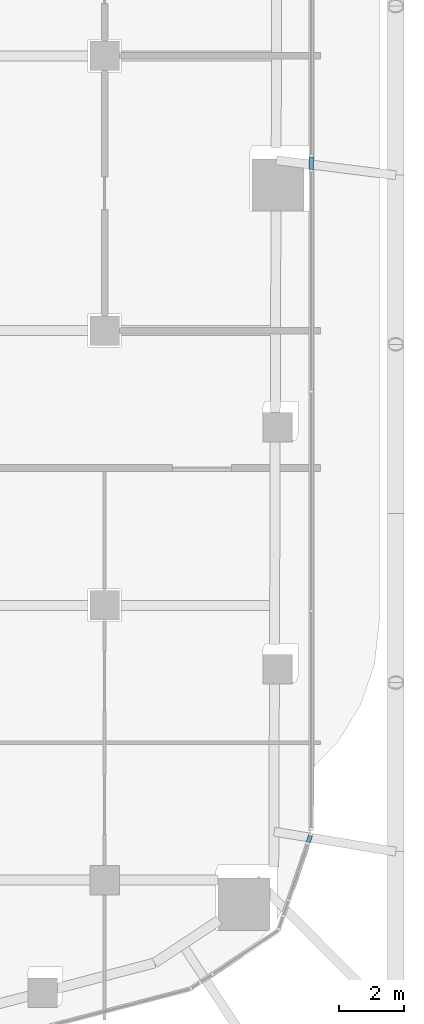
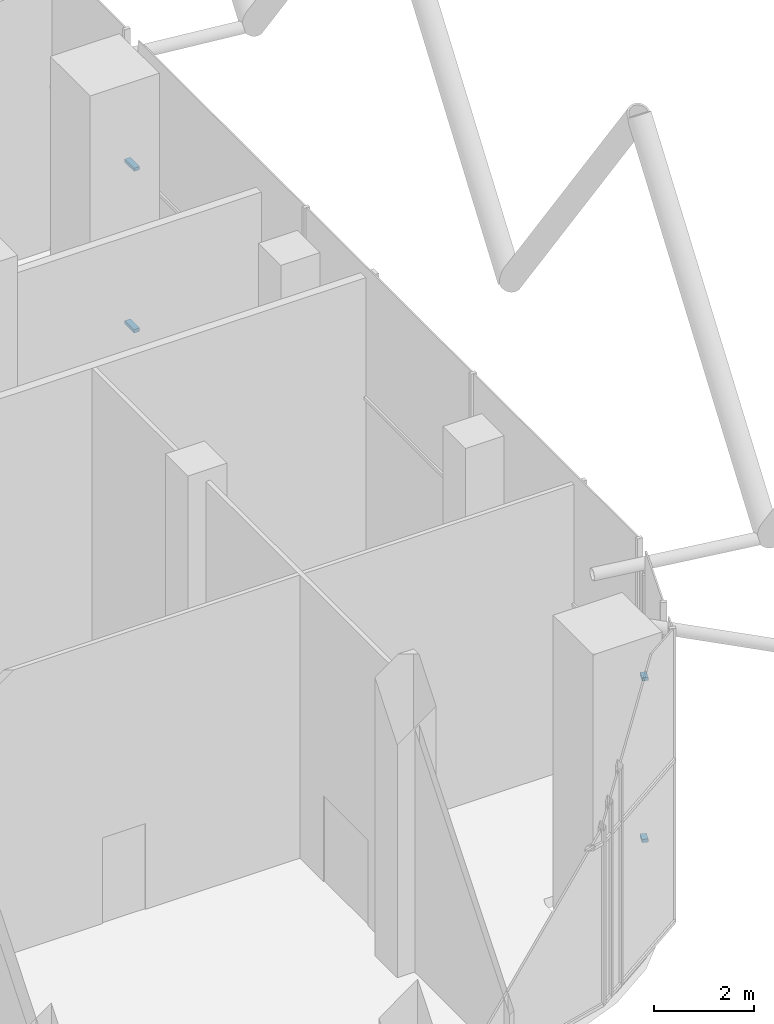
# One storey, part 14 of 34: 4 members, 2 elements without a shape of their own.
"""IFC4 building model written with IfcOpenShell, lengths in metres."""

import ifcopenshell
import ifcopenshell.guid

model = None  # the IFC model being written
_history = None  # IfcOwnerHistory: only IFC2X3 demands one
_inside = {}  # id of a spatial element -> (the spatial element, [elements in it])
_under = {}  # id of a project, library or spatial element -> (it, [spatial elements below it])
_declared = {}  # id of a project -> (the project, [libraries it declares])
_typed = {}  # id of a type object -> (the type object, [elements of that type])
_made_of = {}  # id of a material, layer set ... -> (it, [elements and type objects made of it])


def new_model(schema):
    """Start an empty IFC model of exactly this schema.

    Asked for "IFC4X3", IfcOpenShell would pick the latest addendum, in which some entities
    have other attributes; the version numbers below select the first issue.
    IFC2X3 requires an IfcOwnerHistory on every rooted entity: one is made here for all.
    """
    global model, _history
    if schema == "IFC4X3":
        model = ifcopenshell.file(schema_version=(4, 3, 0, 0))
    else:
        model = ifcopenshell.file(schema=schema)
    _inside.clear()
    _under.clear()
    _declared.clear()
    _typed.clear()
    _made_of.clear()
    _history = None
    if model.schema == "IFC2X3":
        org = make("IfcOrganization", Name="unknown")
        user = make(
            "IfcPersonAndOrganization",
            ThePerson=make("IfcPerson", FamilyName="unknown"),
            TheOrganization=org,
        )
        app = make(
            "IfcApplication",
            ApplicationDeveloper=org,
            Version="unknown",
            ApplicationFullName="unknown",
            ApplicationIdentifier="unknown",
        )
        _history = make(
            "IfcOwnerHistory",
            OwningUser=user,
            OwningApplication=app,
            ChangeAction="ADDED",
            CreationDate=0,
        )
    return model


def make(cls, **values):
    """One entity of the class cls with the attributes given. An attribute that is None is left unset."""
    return model.create_entity(
        cls, **{name: value for name, value in values.items() if value is not None}
    )


def rooted(cls, **values):
    """An entity with a GlobalId (a new one), such as an element, a storey or a relation."""
    return make(cls, GlobalId=ifcopenshell.guid.new(), OwnerHistory=_history, **values)


def si_unit(unit_type, name, prefix=None):
    """IfcSIUnit, for example si_unit("LENGTHUNIT", "METRE", prefix="MILLI")."""
    return make("IfcSIUnit", UnitType=unit_type, Prefix=prefix, Name=name)


def assignment(units):
    """IfcUnitAssignment: the units of a project."""
    return None if units is None else make("IfcUnitAssignment", Units=units)


def point(xyz):
    """IfcCartesianPoint."""
    return None if xyz is None else make("IfcCartesianPoint", Coordinates=xyz)


def direction(xyz):
    """IfcDirection."""
    return None if xyz is None else make("IfcDirection", DirectionRatios=xyz)


def frame(location, z_axis=None, x_axis=None):
    """IfcAxis2Placement3D, a coordinate frame: its origin and axes. An axis left out is left unset."""
    return make(
        "IfcAxis2Placement3D",
        Location=point(location),
        Axis=direction(z_axis),
        RefDirection=direction(x_axis),
    )


def frame_2d(location, x_axis=None):
    """IfcAxis2Placement2D, a coordinate frame in the plane: its origin and x axis."""
    return make(
        "IfcAxis2Placement2D", Location=point(location), RefDirection=direction(x_axis)
    )


def origin():
    """The frame at (0, 0, 0) with its axes left unset."""
    return frame((0.0, 0.0, 0.0))


def origin_2d():
    """The frame at (0, 0) in the plane with its x axis left unset."""
    return frame_2d((0.0, 0.0))


def place(relative_to, where):
    """IfcLocalPlacement: puts the frame where relative to a parent placement (None: the world)."""
    return make(
        "IfcLocalPlacement", PlacementRelTo=relative_to, RelativePlacement=where
    )


def context(
    kind, dimensions, precision=None, world=None, true_north=None, identifier=None
):
    """IfcGeometricRepresentationContext, for example the 3D "Model" context."""
    return make(
        "IfcGeometricRepresentationContext",
        ContextIdentifier=identifier,
        ContextType=kind,
        CoordinateSpaceDimension=dimensions,
        Precision=precision,
        WorldCoordinateSystem=world,
        TrueNorth=true_north,
    )


def subcontext(parent, identifier, kind, view, scale=None):
    """IfcGeometricRepresentationSubContext, for example "Body" below "Model"."""
    return make(
        "IfcGeometricRepresentationSubContext",
        ContextIdentifier=identifier,
        ContextType=kind,
        ParentContext=parent,
        TargetScale=scale,
        TargetView=view,
    )


def project(units=None, contexts=None):
    """IfcProject with its units and contexts."""
    return rooted(
        "IfcProject",
        Name="project",
        RepresentationContexts=contexts,
        UnitsInContext=assignment(units),
    )


def spatial(cls, under=None, at=None, **own):
    """A site, building, storey or space (cls), placed at a placement, below another one or the project."""
    s = rooted(cls, ObjectPlacement=at, **own)
    if under is not None:
        _under.setdefault(under.id(), (under, []))[1].append(s)
    return s


def profile(cls, at=None, kind="AREA", **sizes):
    """A parametric profile (cls). Its sizes go by their IFC names, for example OverallWidth=200.0."""
    return make(cls, ProfileType=kind, Position=at, **sizes)


def rectangle(**sizes):
    """IfcRectangleProfileDef."""
    return profile("IfcRectangleProfileDef", **sizes)


def extrude(swept, where, along, depth):
    """IfcExtrudedAreaSolid: the profile swept, set in the frame where, extruded along a direction by depth."""
    return make(
        "IfcExtrudedAreaSolid",
        SweptArea=swept,
        Position=where,
        ExtrudedDirection=direction(along),
        Depth=depth,
    )


def shape(context_of_items, identifier, shape_type, items):
    """IfcShapeRepresentation: the items that make up one representation, for example the "Body"."""
    return make(
        "IfcShapeRepresentation",
        ContextOfItems=context_of_items,
        RepresentationIdentifier=identifier,
        RepresentationType=shape_type,
        Items=items,
    )


def material(Name=None, Category=None):
    """IfcMaterial."""
    return make("IfcMaterial", Name=Name, Category=Category)


def layer(
    of_material, thickness, ventilated=None, Name=None, Category=None, Priority=None
):
    """IfcMaterialLayer: one layer of a wall or slab, of a material (None: an air gap)."""
    return make(
        "IfcMaterialLayer",
        Material=of_material,
        LayerThickness=thickness,
        IsVentilated=ventilated,
        Name=Name,
        Category=Category,
        Priority=Priority,
    )


def layer_set(layers, Name=None):
    """IfcMaterialLayerSet."""
    return make("IfcMaterialLayerSet", MaterialLayers=layers, LayerSetName=Name)


def material_profile(
    of_material, cross_section, Name=None, Category=None, Priority=None
):
    """IfcMaterialProfile: a cross section and its material."""
    return make(
        "IfcMaterialProfile",
        Name=Name,
        Material=of_material,
        Profile=cross_section,
        Priority=Priority,
        Category=Category,
    )


def profile_set(profiles, Name=None, composite=None):
    """IfcMaterialProfileSet."""
    return make(
        "IfcMaterialProfileSet",
        Name=Name,
        MaterialProfiles=profiles,
        CompositeProfile=composite,
    )


def made_of(thing, what):
    """Note that an element or type object is made of a material, layer set ...; save() writes the relation."""
    if what is not None:
        _made_of.setdefault(what.id(), (what, []))[1].append(thing)
    return thing


def type_object(cls, material=None, **own):
    """A type object (cls), such as IfcWallType, which elements share."""
    return made_of(rooted(cls, **own), material)


def element(
    cls,
    number,
    at=None,
    inside=None,
    cuts=None,
    type_object=None,
    material=None,
    context=None,
    identifier="Body",
    shape_type=None,
    held_by="IfcProductDefinitionShape",
    body=None,
    shapes=None,
    **own,
):
    """One element of the class cls, such as IfcWall. Its Tag is "e" and its number.

    at: its placement. inside: the storey or other place that contains it. cuts: it is an
    opening in that element (IfcRelVoidsElement). A single representation is given by context,
    identifier, shape_type and body (its items); several are given by shapes. held_by: the class
    of the entity that holds the representations. save() writes the other relations.
    """
    e = rooted(cls, Tag="e%d" % number, ObjectPlacement=at, **own)
    if body is not None:
        shapes = [shape(context, identifier, shape_type, body)]
    if shapes is not None:
        e.Representation = make(held_by, Representations=shapes)
    if inside is not None:
        _inside.setdefault(inside.id(), (inside, []))[1].append(e)
    if cuts is not None:
        rooted(
            "IfcRelVoidsElement", RelatingBuildingElement=cuts, RelatedOpeningElement=e
        )
    if type_object is not None:
        _typed.setdefault(type_object.id(), (type_object, []))[1].append(e)
    return made_of(e, material)


def aggregate(whole, parts):
    """IfcRelAggregates: a whole, such as a stair, and the parts it consists of."""
    return rooted("IfcRelAggregates", RelatingObject=whole, RelatedObjects=parts)


def save(model, path):
    """Write the relations noted so far, then the file.

    IfcRelAggregates (storeys below a building ...), IfcRelContainedInSpatialStructure (elements
    in a storey), IfcRelDefinesByType, IfcRelAssociatesMaterial and IfcRelDeclares: one each for
    every whole, place, type object, material and project.
    """
    for whole, parts in _under.values():
        aggregate(whole, parts)
    for where, things in _inside.values():
        rooted(
            "IfcRelContainedInSpatialStructure",
            RelatedElements=things,
            RelatingStructure=where,
        )
    for kind, things in _typed.values():
        rooted("IfcRelDefinesByType", RelatedObjects=things, RelatingType=kind)
    for what, things in _made_of.values():
        rooted("IfcRelAssociatesMaterial", RelatedObjects=things, RelatingMaterial=what)
    for by, libraries in _declared.values():
        rooted("IfcRelDeclares", RelatingContext=by, RelatedDefinitions=libraries)
    model.write(path)


model = new_model("IFC4")

# Units and contexts
model_context = context("Model", 3, precision=1e-05, world=origin(), true_north=direction((0.0, 1.0)))
body_context = subcontext(model_context, "Body", "Model", "MODEL_VIEW")
ifc_project = project(units=[si_unit("LENGTHUNIT", "METRE"), si_unit("AREAUNIT", "SQUARE_METRE"), si_unit("VOLUMEUNIT", "CUBIC_METRE"), si_unit("PLANEANGLEUNIT", "RADIAN"), si_unit("MASSUNIT", "GRAM", prefix="KILO")], contexts=[model_context])

# Site, building, storey
site_placement = place(None, origin())
site = spatial("IfcSite", under=ifc_project, at=site_placement, CompositionType="ELEMENT")
building_placement = place(site_placement, origin())
building = spatial("IfcBuilding", under=site, at=building_placement, Name="Marenta Gate Hotel Tower", CompositionType="ELEMENT")
storey_placement = place(building_placement, frame((0.0, 0.0, 97.699951171875)))
storey = spatial("IfcBuildingStorey", under=building, at=storey_placement, Name="L21", CompositionType="ELEMENT", Elevation=97.699951171875)

# Curtain wall, members
ifc_material_1 = material(Name="Tinted insulated glass in bronze anodised frame", Category="glass")
ifc_layer = layer(ifc_material_1, 0.1298828125)
ifc_layer_set = layer_set([ifc_layer], Name="Tinted insulated glass in bronze anodised frame")
curtain_wall_type = type_object("IfcCurtainWallType", Name="Sky lobby glazing CW2", PredefinedType="NOTDEFINED", material=ifc_layer_set)
curtain_wall_1_placement = place(storey_placement, origin())
curtain_wall_1 = element("IfcCurtainWall", 1, at=curtain_wall_1_placement, inside=storey, type_object=curtain_wall_type, Name="CW2 run G32", PredefinedType="NOTDEFINED")
ifc_material_2 = material(Name="Bronze anodised aluminium", Category="aluminium")
ifc_material_profile = material_profile(ifc_material_2, rectangle(XDim=0.1298828125, YDim=0.080078125, at=origin_2d()), Name="Transom CW2 80x130 bronze anodised aluminium")
ifc_profile_set = profile_set([ifc_material_profile], Name="Bronze anodised aluminium")
member_type = type_object("IfcMemberType", Name="Transom CW2 80x130 bronze anodised aluminium", PredefinedType="USERDEFINED", material=ifc_profile_set)
member_1_placement = place(storey_placement, frame((27.226806640625, -15.6396484375, 0.0400390625), z_axis=(0.322263797804, 0.94664990605, 0.0), x_axis=(-0.94664990605, 0.322263797804, 0.0)))
member_1 = element("IfcMember", 2, at=member_1_placement, type_object=member_type, Name="CW2 transom 1.1", ObjectType="TRANSOM", PredefinedType="USERDEFINED", context=body_context, shape_type="SweptSolid", body=[
    extrude(rectangle(XDim=0.1298828125, YDim=0.080078125, at=origin_2d()), origin(), (0.0, 0.0, 1.0), 0.2060546875),
])
member_2_placement = place(storey_placement, frame((27.226806640625, -15.6396484375, 4.0), z_axis=(0.322263797804, 0.94664990605, 0.0), x_axis=(-0.94664990605, 0.322263797804, 0.0)))
member_2 = element("IfcMember", 3, at=member_2_placement, type_object=member_type, Name="CW2 transom 1.2", ObjectType="TRANSOM", PredefinedType="USERDEFINED", context=body_context, shape_type="SweptSolid", body=[
    extrude(rectangle(XDim=0.1298828125, YDim=0.080078125, at=origin_2d()), origin(), (0.0, 0.0, 1.0), 0.2060546875),
])
aggregate(curtain_wall_1, [member_1, member_2])

curtain_wall_2_placement = place(storey_placement, origin())
curtain_wall_2 = element("IfcCurtainWall", 4, at=curtain_wall_2_placement, inside=storey, type_object=curtain_wall_type, Name="CW2 run G34", PredefinedType="NOTDEFINED")
member_3_placement = place(storey_placement, frame((27.319091796875, 4.926513671875, 0.0400390625), z_axis=(0.0, 1.0, 0.0), x_axis=(-1.0, 0.0, 0.0)))
member_3 = element("IfcMember", 5, at=member_3_placement, type_object=member_type, Name="CW2 transom 1.1", ObjectType="TRANSOM", PredefinedType="USERDEFINED", context=body_context, shape_type="SweptSolid", body=[
    extrude(rectangle(XDim=0.1298828125, YDim=0.080078125, at=origin_2d()), origin(), (0.0, 0.0, 1.0), 0.37646484375),
])
member_4_placement = place(storey_placement, frame((27.319091796875, 4.926513671875, 4.0), z_axis=(0.0, 1.0, 0.0), x_axis=(-1.0, 0.0, 0.0)))
member_4 = element("IfcMember", 6, at=member_4_placement, type_object=member_type, Name="CW2 transom 1.2", ObjectType="TRANSOM", PredefinedType="USERDEFINED", context=body_context, shape_type="SweptSolid", body=[
    extrude(rectangle(XDim=0.1298828125, YDim=0.080078125, at=origin_2d()), origin(), (0.0, 0.0, 1.0), 0.37646484375),
])
aggregate(curtain_wall_2, [member_3, member_4])

save(model, "model.ifc")
